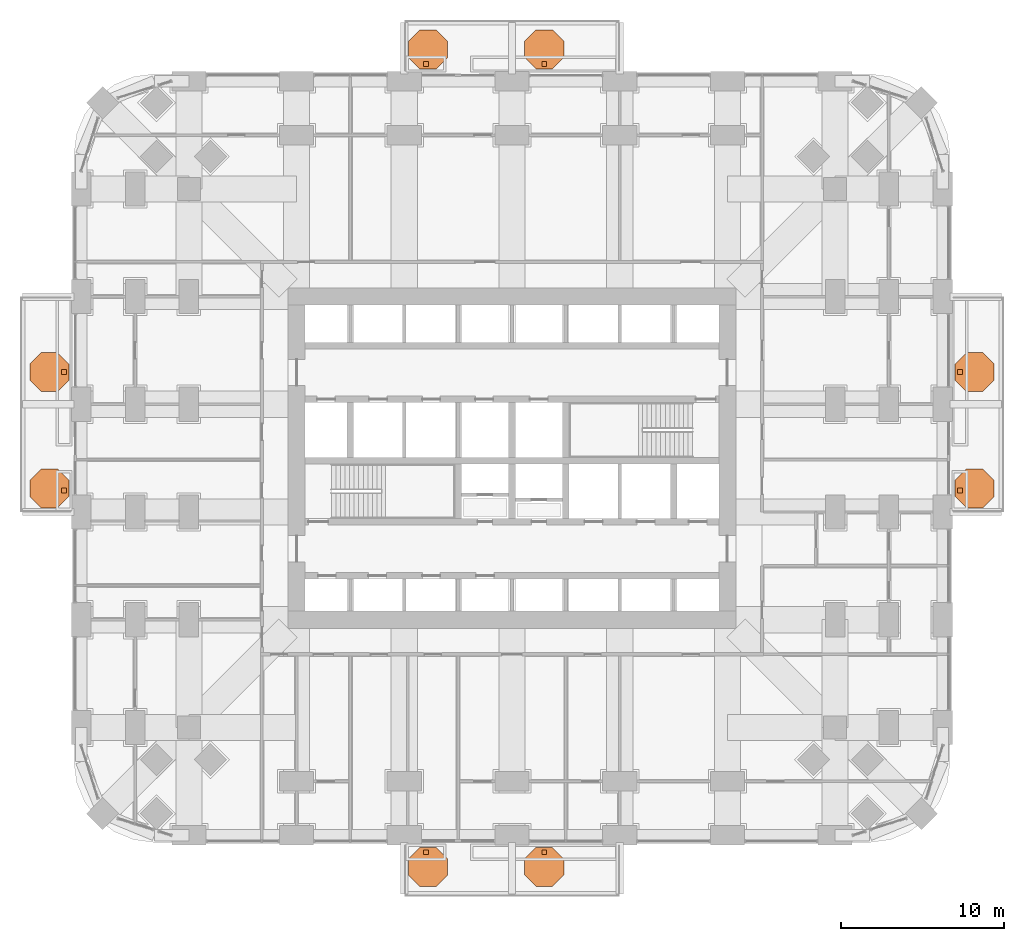
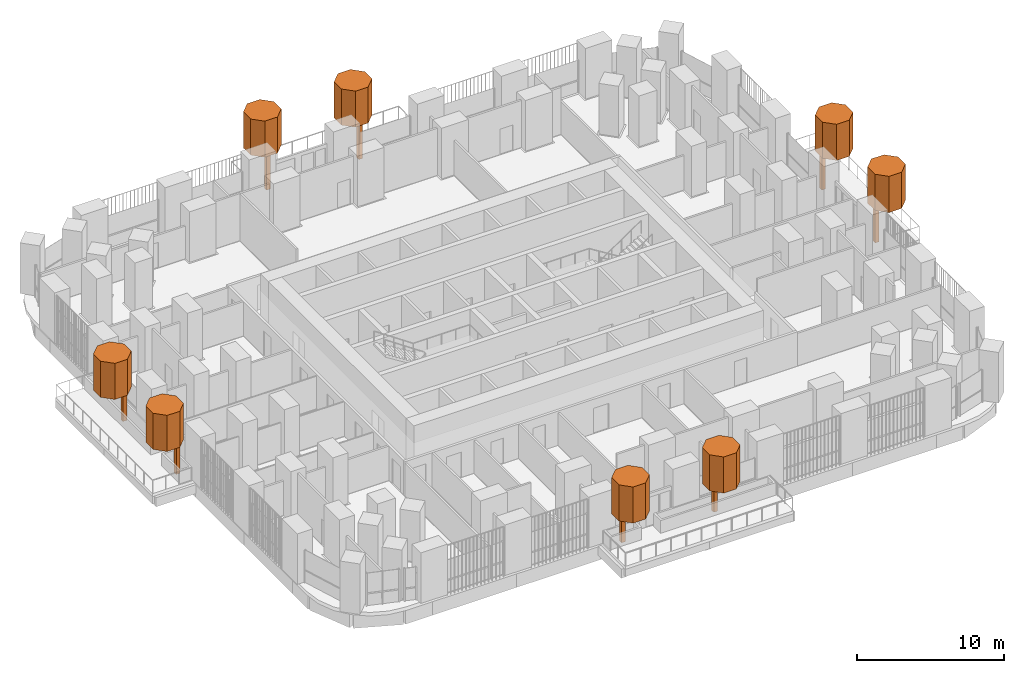
# One storey, part 26 of 26: 16 geographic elements.
"""IFC4 building model written with IfcOpenShell, lengths in metres."""

from ifc_helpers import new_model, si_unit, direction, frame, origin, origin_2d, place, context, subcontext, project, spatial, polyline, rectangle, outline, extrude, material, type_object, element, save


model = new_model("IFC4")

# Units and contexts
model_context = context("Model", 3, precision=1e-05, world=origin(), true_north=direction((0.0, 1.0)))
body_context = subcontext(model_context, "Body", "Model", "MODEL_VIEW")
ifc_project = project(units=[si_unit("LENGTHUNIT", "METRE"), si_unit("AREAUNIT", "SQUARE_METRE"), si_unit("VOLUMEUNIT", "CUBIC_METRE"), si_unit("PLANEANGLEUNIT", "RADIAN"), si_unit("MASSUNIT", "GRAM", prefix="KILO")], contexts=[model_context])

# Site, building, storey
site_placement = place(None, origin())
site = spatial("IfcSite", under=ifc_project, at=site_placement, CompositionType="ELEMENT")
building_placement = place(site_placement, origin())
building = spatial("IfcBuilding", under=site, at=building_placement, Name="Cobogo Forest Laboratory Tower", CompositionType="ELEMENT")
storey_placement = place(building_placement, frame((0.0, 0.0, 59.10009765625)))
storey = spatial("IfcBuildingStorey", under=building, at=storey_placement, Name="L13", CompositionType="ELEMENT", Elevation=59.10009765625)

# Geographic elements
ifc_material = material(Name="Planting", Category="plant")
geographic_element_type_1 = type_object("IfcGeographicElementType", Name="Tree trunk 300", PredefinedType="USERDEFINED", material=ifc_material)
for number, where, z_axis, x_axis, name in (
    (1, (21.125, -1.050048828125, 0.0), (0.0, 0.0, 1.0), (1.0, 0.0, 0.0), "Tree trunk BAL-S1-PL1 L13"),
    (2, (28.375, -1.050048828125, 0.0), (0.0, 0.0, 1.0), (1.0, 0.0, 0.0), "Tree trunk BAL-S1-PL2 L13"),
    (3, (53.85009765625, 21.125, 0.0), (0.0, 0.0, 1.0), (1.0, 0.0, 0.0), "Tree trunk BAL-E1-PL1 L13"),
    (4, (53.85009765625, 28.375, 0.0), (0.0, 0.0, 1.0), (1.0, 0.0, 0.0), "Tree trunk BAL-E1-PL2 L13"),
    (5, (21.125, 47.25, 0.0), (0.0, 0.0, 1.0), (1.0, 0.0, 0.0), "Tree trunk BAL-N1-PL1 L13"),
    (6, (28.375, 47.25, 0.0), (0.0, 0.0, 1.0), (1.0, 0.0, 0.0), "Tree trunk BAL-N1-PL2 L13"),
    (7, (-1.050048828125, 21.125, 0.0), (0.0, 0.0, 1.0), (1.0, 0.0, 0.0), "Tree trunk BAL-W1-PL1 L13"),
    (8, (-1.050048828125, 28.375, 0.0), (0.0, 0.0, 1.0), (1.0, 0.0, 0.0), "Tree trunk BAL-W1-PL2 L13"),
):
    element("IfcGeographicElement", number, at=place(storey_placement, frame(where, z_axis=z_axis, x_axis=x_axis)), inside=storey, type_object=geographic_element_type_1, Name=name, ObjectType="TREE TRUNK", PredefinedType="USERDEFINED", context=body_context, shape_type="SweptSolid", body=[
        extrude(rectangle(XDim=0.300048828125, YDim=0.300048828125, at=origin_2d()), origin(), (0.0, 0.0, 1.0), 2.89990234375),
    ])
geographic_element_type_2 = type_object("IfcGeographicElementType", Name="Tree, holm oak 5 m", PredefinedType="USERDEFINED", material=ifc_material)
geographic_element_1_placement = place(storey_placement, frame((0.0, 0.0, 2.89990234375)))
element("IfcGeographicElement", 9, at=geographic_element_1_placement, inside=storey, type_object=geographic_element_type_2, Name="Holm tree BAL-S1-PL1 L13", ObjectType="TREE", PredefinedType="USERDEFINED", context=body_context, shape_type="SweptSolid", body=[
    extrude(outline(polyline([(22.449951171875, -2.447021484375), (22.449951171875, -1.452880859375), (21.7470703125, -0.75), (20.7529296875, -0.75), (20.050048828125, -1.452880859375), (20.050048828125, -2.447021484375), (20.7529296875, -3.14990234375), (21.7470703125, -3.14990234375), (22.449951171875, -2.447021484375)])), origin(), (0.0, 0.0, 1.0), 3.0),
])
geographic_element_2_placement = place(storey_placement, frame((0.0, 0.0, 2.89990234375)))
element("IfcGeographicElement", 10, at=geographic_element_2_placement, inside=storey, type_object=geographic_element_type_2, Name="Holm tree BAL-S1-PL2 L13", ObjectType="TREE", PredefinedType="USERDEFINED", context=body_context, shape_type="SweptSolid", body=[
    extrude(outline(polyline([(29.574951171875, -2.447021484375), (29.574951171875, -1.452880859375), (28.8720703125, -0.75), (27.8779296875, -0.75), (27.175048828125, -1.452880859375), (27.175048828125, -2.447021484375), (27.8779296875, -3.14990234375), (28.8720703125, -3.14990234375), (29.574951171875, -2.447021484375)])), origin(), (0.0, 0.0, 1.0), 3.0),
])
geographic_element_3_placement = place(storey_placement, frame((0.0, 0.0, 2.89990234375)))
element("IfcGeographicElement", 11, at=geographic_element_3_placement, inside=storey, type_object=geographic_element_type_2, Name="Holm tree BAL-E1-PL1 L13", ObjectType="TREE", PredefinedType="USERDEFINED", context=body_context, shape_type="SweptSolid", body=[
    extrude(outline(polyline([(55.949951171875, 20.7529296875), (55.949951171875, 21.7470703125), (55.2470703125, 22.449951171875), (54.2529296875, 22.449951171875), (53.550048828125, 21.7470703125), (53.550048828125, 20.7529296875), (54.2529296875, 20.050048828125), (55.2470703125, 20.050048828125), (55.949951171875, 20.7529296875)])), origin(), (0.0, 0.0, 1.0), 3.0),
])
geographic_element_4_placement = place(storey_placement, frame((0.0, 0.0, 2.89990234375)))
element("IfcGeographicElement", 12, at=geographic_element_4_placement, inside=storey, type_object=geographic_element_type_2, Name="Holm tree BAL-E1-PL2 L13", ObjectType="TREE", PredefinedType="USERDEFINED", context=body_context, shape_type="SweptSolid", body=[
    extrude(outline(polyline([(55.949951171875, 27.8779296875), (55.949951171875, 28.8720703125), (55.2470703125, 29.574951171875), (54.2529296875, 29.574951171875), (53.550048828125, 28.8720703125), (53.550048828125, 27.8779296875), (54.2529296875, 27.175048828125), (55.2470703125, 27.175048828125), (55.949951171875, 27.8779296875)])), origin(), (0.0, 0.0, 1.0), 3.0),
])
geographic_element_5_placement = place(storey_placement, frame((0.0, 0.0, 2.89990234375)))
element("IfcGeographicElement", 13, at=geographic_element_5_placement, inside=storey, type_object=geographic_element_type_2, Name="Holm tree BAL-N1-PL1 L13", ObjectType="TREE", PredefinedType="USERDEFINED", context=body_context, shape_type="SweptSolid", body=[
    extrude(outline(polyline([(22.449951171875, 47.65283203125), (22.449951171875, 48.64697265625), (21.7470703125, 49.35009765625), (20.7529296875, 49.35009765625), (20.050048828125, 48.64697265625), (20.050048828125, 47.65283203125), (20.7529296875, 46.949951171875), (21.7470703125, 46.949951171875), (22.449951171875, 47.65283203125)])), origin(), (0.0, 0.0, 1.0), 3.0),
])
geographic_element_6_placement = place(storey_placement, frame((0.0, 0.0, 2.89990234375)))
element("IfcGeographicElement", 14, at=geographic_element_6_placement, inside=storey, type_object=geographic_element_type_2, Name="Holm tree BAL-N1-PL2 L13", ObjectType="TREE", PredefinedType="USERDEFINED", context=body_context, shape_type="SweptSolid", body=[
    extrude(outline(polyline([(29.574951171875, 47.65283203125), (29.574951171875, 48.64697265625), (28.8720703125, 49.35009765625), (27.8779296875, 49.35009765625), (27.175048828125, 48.64697265625), (27.175048828125, 47.65283203125), (27.8779296875, 46.949951171875), (28.8720703125, 46.949951171875), (29.574951171875, 47.65283203125)])), origin(), (0.0, 0.0, 1.0), 3.0),
])
geographic_element_7_placement = place(storey_placement, frame((0.0, 0.0, 2.89990234375)))
element("IfcGeographicElement", 15, at=geographic_element_7_placement, inside=storey, type_object=geographic_element_type_2, Name="Holm tree BAL-W1-PL1 L13", ObjectType="TREE", PredefinedType="USERDEFINED", context=body_context, shape_type="SweptSolid", body=[
    extrude(outline(polyline([(-0.75, 20.7529296875), (-0.75, 21.7470703125), (-1.452880859375, 22.449951171875), (-2.447021484375, 22.449951171875), (-3.14990234375, 21.7470703125), (-3.14990234375, 20.7529296875), (-2.447021484375, 20.050048828125), (-1.452880859375, 20.050048828125), (-0.75, 20.7529296875)])), origin(), (0.0, 0.0, 1.0), 3.0),
])
geographic_element_8_placement = place(storey_placement, frame((0.0, 0.0, 2.89990234375)))
element("IfcGeographicElement", 16, at=geographic_element_8_placement, inside=storey, type_object=geographic_element_type_2, Name="Holm tree BAL-W1-PL2 L13", ObjectType="TREE", PredefinedType="USERDEFINED", context=body_context, shape_type="SweptSolid", body=[
    extrude(outline(polyline([(-0.75, 27.8779296875), (-0.75, 28.8720703125), (-1.452880859375, 29.574951171875), (-2.447021484375, 29.574951171875), (-3.14990234375, 28.8720703125), (-3.14990234375, 27.8779296875), (-2.447021484375, 27.175048828125), (-1.452880859375, 27.175048828125), (-0.75, 27.8779296875)])), origin(), (0.0, 0.0, 1.0), 3.0),
])

save(model, "model.ifc")
